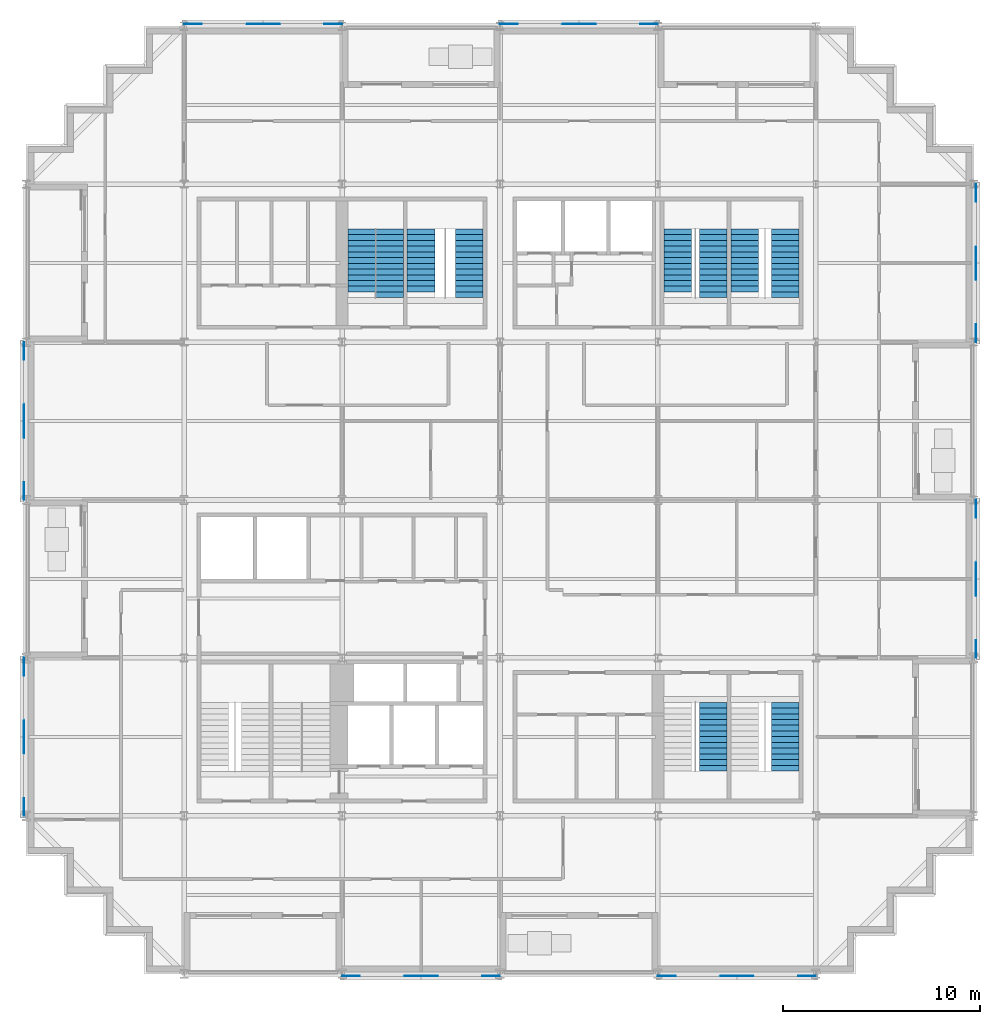
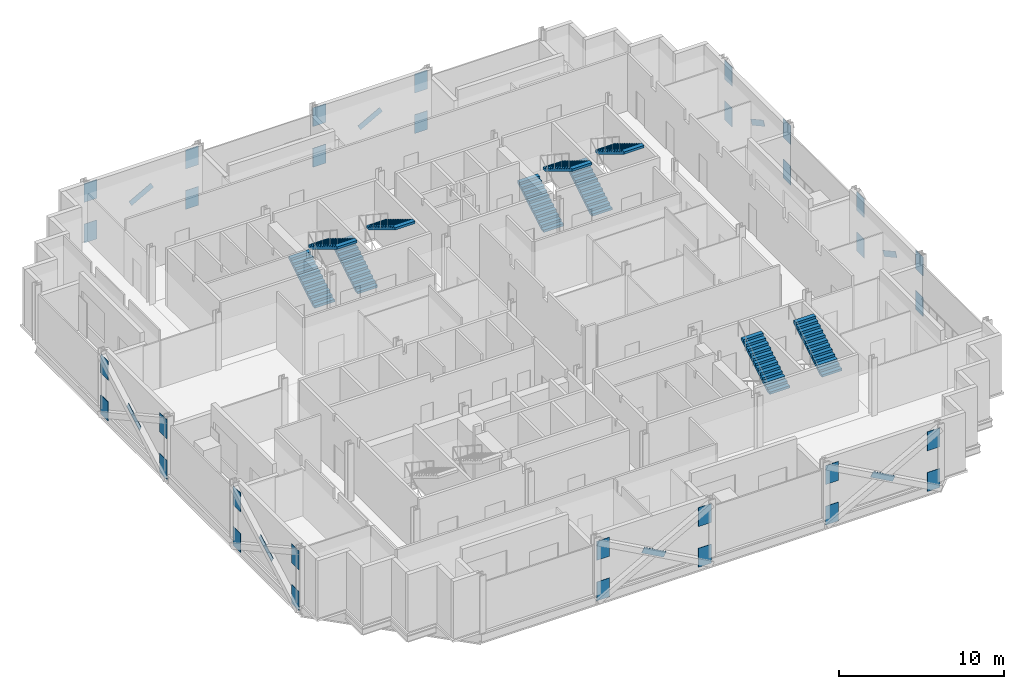
# One storey, part 12 of 15: 40 discrete accessories, 10 stair flights, 6 elements without a shape of their own.
"""IFC4 building model written with IfcOpenShell, lengths in metres."""

from ifc_helpers import new_model, si_unit, direction, frame, origin, origin_2d, place, context, subcontext, project, spatial, polyline, rectangle, outline, extrude, material, material_profile, profile_set, type_object, element, aggregate, save


model = new_model("IFC4")

# Units and contexts
model_context = context("Model", 3, precision=1e-05, world=origin(), true_north=direction((0.0, 1.0)))
body_context = subcontext(model_context, "Body", "Model", "MODEL_VIEW")
ifc_project = project(units=[si_unit("LENGTHUNIT", "METRE"), si_unit("AREAUNIT", "SQUARE_METRE"), si_unit("VOLUMEUNIT", "CUBIC_METRE"), si_unit("PLANEANGLEUNIT", "RADIAN"), si_unit("MASSUNIT", "GRAM", prefix="KILO")], contexts=[model_context])

# Site, building, storey
site_placement = place(None, origin())
site = spatial("IfcSite", under=ifc_project, at=site_placement, CompositionType="ELEMENT")
building_placement = place(site_placement, origin())
building = spatial("IfcBuilding", under=site, at=building_placement, Name="Immortelle Media Tower", CompositionType="ELEMENT")
storey_placement = place(building_placement, frame((0.0, 0.0, 92.0)))
storey = spatial("IfcBuildingStorey", under=building, at=storey_placement, Name="L17", CompositionType="ELEMENT", Elevation=92.0)

# Stair, stair flight
ifc_material_1 = material(Name="Steel ASTM A992 Gr 50", Category="steel")
stair_type = type_object("IfcStairType", Name="Stair with flights", PredefinedType="DOUBLE_RETURN_STAIR", material=ifc_material_1)
stair_1_placement = place(storey_placement, origin())
stair_1 = element("IfcStair", 1, at=stair_1_placement, inside=storey, type_object=stair_type, Name="Exit stair SE1", PredefinedType="DOUBLE_RETURN_STAIR")
stair_flight_type = type_object("IfcStairFlightType", Name="Stair flight 1400", PredefinedType="STRAIGHT", material=ifc_material_1)
stair_flight_1_placement = place(storey_placement, frame((34.800048828125, 10.27001953125, 2.112060546875), z_axis=(0.0, 0.0, 1.0), x_axis=(0.0, 1.0, 0.0)))
stair_flight_1 = element("IfcStairFlight", 2, at=stair_flight_1_placement, type_object=stair_flight_type, Name="ST SE1 flight 2", NumberOfRisers=13, NumberOfTreads=12, PredefinedType="STRAIGHT", RiserHeight=0.176, TreadLength=0.29, context=body_context, shape_type="SweptSolid", body=[
    extrude(outline(polyline([(0.0, 0.0), (0.0, 0.176025390625), (0.2900390625, 0.176025390625), (0.2900390625, 0.35205078125), (0.580078125, 0.35205078125), (0.580078125, 0.528076171875), (0.8701171875, 0.528076171875), (0.8701171875, 0.7041015625), (1.159912109375, 0.7041015625), (1.159912109375, 0.8798828125), (1.449951171875, 0.8798828125), (1.449951171875, 1.055908203125), (1.739990234375, 1.055908203125), (1.739990234375, 1.23193359375), (2.030029296875, 1.23193359375), (2.030029296875, 1.407958984375), (2.320068359375, 1.407958984375), (2.320068359375, 1.583984375), (2.610107421875, 1.583984375), (2.610107421875, 1.760009765625), (2.89990234375, 1.760009765625), (2.89990234375, 1.93603515625), (3.18994140625, 1.93603515625), (3.18994140625, 2.112060546875), (3.47998046875, 2.112060546875), (3.47998046875, 2.2880859375), (3.47998046875, 1.936767578125), (0.288818359375, 0.0), (0.0, 0.0)])), frame((0.0, 0.699951171875, 0.0), z_axis=(0.0, -1.0, 0.0), x_axis=(1.0, 0.0, 0.0)), (0.0, 0.0, 1.0), 1.39990234375),
])
aggregate(stair_1, [stair_flight_1])

stair_2_placement = place(storey_placement, origin())
stair_2 = element("IfcStair", 3, at=stair_2_placement, inside=storey, type_object=stair_type, Name="Exit stair SE2", PredefinedType="DOUBLE_RETURN_STAIR")
stair_flight_2_placement = place(storey_placement, frame((38.449951171875, 10.27001953125, 2.112060546875), z_axis=(0.0, 0.0, 1.0), x_axis=(0.0, 1.0, 0.0)))
stair_flight_2 = element("IfcStairFlight", 4, at=stair_flight_2_placement, type_object=stair_flight_type, Name="ST SE2 flight 2", NumberOfRisers=13, NumberOfTreads=12, PredefinedType="STRAIGHT", RiserHeight=0.176, TreadLength=0.29, context=body_context, shape_type="SweptSolid", body=[
    extrude(outline(polyline([(0.0, 0.0), (0.0, 0.176025390625), (0.2900390625, 0.176025390625), (0.2900390625, 0.35205078125), (0.580078125, 0.35205078125), (0.580078125, 0.528076171875), (0.8701171875, 0.528076171875), (0.8701171875, 0.7041015625), (1.159912109375, 0.7041015625), (1.159912109375, 0.8798828125), (1.449951171875, 0.8798828125), (1.449951171875, 1.055908203125), (1.739990234375, 1.055908203125), (1.739990234375, 1.23193359375), (2.030029296875, 1.23193359375), (2.030029296875, 1.407958984375), (2.320068359375, 1.407958984375), (2.320068359375, 1.583984375), (2.610107421875, 1.583984375), (2.610107421875, 1.760009765625), (2.89990234375, 1.760009765625), (2.89990234375, 1.93603515625), (3.18994140625, 1.93603515625), (3.18994140625, 2.112060546875), (3.47998046875, 2.112060546875), (3.47998046875, 2.2880859375), (3.47998046875, 1.936767578125), (0.288818359375, 0.0), (0.0, 0.0)])), frame((0.0, 0.699951171875, 0.0), z_axis=(0.0, -1.0, 0.0), x_axis=(1.0, 0.0, 0.0)), (0.0, 0.0, 1.0), 1.39990234375),
])
aggregate(stair_2, [stair_flight_2])

# Stair, stair flights
stair_3_placement = place(storey_placement, origin())
stair_3 = element("IfcStair", 5, at=stair_3_placement, inside=storey, type_object=stair_type, Name="Exit stair NW1", PredefinedType="DOUBLE_RETURN_STAIR")
stair_flight_3_placement = place(storey_placement, frame((17.0, 34.5400390625, 0.0), z_axis=(0.0, 0.0, 1.0), x_axis=(0.0, 1.0, 0.0)))
stair_flight_3 = element("IfcStairFlight", 6, at=stair_flight_3_placement, type_object=stair_flight_type, Name="ST NW1 flight 1", NumberOfRisers=12, NumberOfTreads=11, PredefinedType="STRAIGHT", RiserHeight=0.176, TreadLength=0.29, context=body_context, shape_type="SweptSolid", body=[
    extrude(outline(polyline([(0.0, 0.0), (0.0, 0.176025390625), (0.2900390625, 0.176025390625), (0.2900390625, 0.35205078125), (0.580078125, 0.35205078125), (0.580078125, 0.528076171875), (0.8701171875, 0.528076171875), (0.8701171875, 0.7041015625), (1.159912109375, 0.7041015625), (1.159912109375, 0.8798828125), (1.449951171875, 0.8798828125), (1.449951171875, 1.055908203125), (1.739990234375, 1.055908203125), (1.739990234375, 1.23193359375), (2.030029296875, 1.23193359375), (2.030029296875, 1.407958984375), (2.320068359375, 1.407958984375), (2.320068359375, 1.583984375), (2.610107421875, 1.583984375), (2.610107421875, 1.760009765625), (2.89990234375, 1.760009765625), (2.89990234375, 1.93603515625), (3.18994140625, 1.93603515625), (3.18994140625, 2.112060546875), (3.18994140625, 1.7607421875), (0.288818359375, 0.0), (0.0, 0.0)])), frame((0.0, 0.699951171875, 0.0), z_axis=(0.0, -1.0, 0.0), x_axis=(1.0, 0.0, 0.0)), (0.0, 0.0, 1.0), 1.39990234375),
])
stair_flight_4_placement = place(storey_placement, frame((18.39990234375, 37.72998046875, 2.112060546875), z_axis=(0.0, 0.0, 1.0), x_axis=(0.0, -1.0, 0.0)))
stair_flight_4 = element("IfcStairFlight", 7, at=stair_flight_4_placement, type_object=stair_flight_type, Name="ST NW1 flight 2", NumberOfRisers=13, NumberOfTreads=12, PredefinedType="STRAIGHT", RiserHeight=0.176, TreadLength=0.29, context=body_context, shape_type="SweptSolid", body=[
    extrude(outline(polyline([(0.0, 0.0), (0.0, 0.176025390625), (0.2900390625, 0.176025390625), (0.2900390625, 0.35205078125), (0.580078125, 0.35205078125), (0.580078125, 0.528076171875), (0.8701171875, 0.528076171875), (0.8701171875, 0.7041015625), (1.159912109375, 0.7041015625), (1.159912109375, 0.8798828125), (1.449951171875, 0.8798828125), (1.449951171875, 1.055908203125), (1.739990234375, 1.055908203125), (1.739990234375, 1.23193359375), (2.030029296875, 1.23193359375), (2.030029296875, 1.407958984375), (2.320068359375, 1.407958984375), (2.320068359375, 1.583984375), (2.610107421875, 1.583984375), (2.610107421875, 1.760009765625), (2.89990234375, 1.760009765625), (2.89990234375, 1.93603515625), (3.18994140625, 1.93603515625), (3.18994140625, 2.112060546875), (3.47998046875, 2.112060546875), (3.47998046875, 2.2880859375), (3.47998046875, 1.936767578125), (0.288818359375, 0.0), (0.0, 0.0)])), frame((0.0, 0.699951171875, 0.0), z_axis=(0.0, -1.0, 0.0), x_axis=(1.0, 0.0, 0.0)), (0.0, 0.0, 1.0), 1.39990234375),
])
aggregate(stair_3, [stair_flight_3, stair_flight_4])

stair_4_placement = place(storey_placement, origin())
stair_4 = element("IfcStair", 8, at=stair_4_placement, inside=storey, type_object=stair_type, Name="Exit stair NW2", PredefinedType="DOUBLE_RETURN_STAIR")
stair_flight_5_placement = place(storey_placement, frame((20.0, 34.5400390625, 0.0), z_axis=(0.0, 0.0, 1.0), x_axis=(0.0, 1.0, 0.0)))
stair_flight_5 = element("IfcStairFlight", 9, at=stair_flight_5_placement, type_object=stair_flight_type, Name="ST NW2 flight 1", NumberOfRisers=12, NumberOfTreads=11, PredefinedType="STRAIGHT", RiserHeight=0.176, TreadLength=0.29, context=body_context, shape_type="SweptSolid", body=[
    extrude(outline(polyline([(0.0, 0.0), (0.0, 0.176025390625), (0.2900390625, 0.176025390625), (0.2900390625, 0.35205078125), (0.580078125, 0.35205078125), (0.580078125, 0.528076171875), (0.8701171875, 0.528076171875), (0.8701171875, 0.7041015625), (1.159912109375, 0.7041015625), (1.159912109375, 0.8798828125), (1.449951171875, 0.8798828125), (1.449951171875, 1.055908203125), (1.739990234375, 1.055908203125), (1.739990234375, 1.23193359375), (2.030029296875, 1.23193359375), (2.030029296875, 1.407958984375), (2.320068359375, 1.407958984375), (2.320068359375, 1.583984375), (2.610107421875, 1.583984375), (2.610107421875, 1.760009765625), (2.89990234375, 1.760009765625), (2.89990234375, 1.93603515625), (3.18994140625, 1.93603515625), (3.18994140625, 2.112060546875), (3.18994140625, 1.7607421875), (0.288818359375, 0.0), (0.0, 0.0)])), frame((0.0, 0.699951171875, 0.0), z_axis=(0.0, -1.0, 0.0), x_axis=(1.0, 0.0, 0.0)), (0.0, 0.0, 1.0), 1.39990234375),
])
stair_flight_6_placement = place(storey_placement, frame((22.449951171875, 37.72998046875, 2.112060546875), z_axis=(0.0, 0.0, 1.0), x_axis=(0.0, -1.0, 0.0)))
stair_flight_6 = element("IfcStairFlight", 10, at=stair_flight_6_placement, type_object=stair_flight_type, Name="ST NW2 flight 2", NumberOfRisers=13, NumberOfTreads=12, PredefinedType="STRAIGHT", RiserHeight=0.176, TreadLength=0.29, context=body_context, shape_type="SweptSolid", body=[
    extrude(outline(polyline([(0.0, 0.0), (0.0, 0.176025390625), (0.2900390625, 0.176025390625), (0.2900390625, 0.35205078125), (0.580078125, 0.35205078125), (0.580078125, 0.528076171875), (0.8701171875, 0.528076171875), (0.8701171875, 0.7041015625), (1.159912109375, 0.7041015625), (1.159912109375, 0.8798828125), (1.449951171875, 0.8798828125), (1.449951171875, 1.055908203125), (1.739990234375, 1.055908203125), (1.739990234375, 1.23193359375), (2.030029296875, 1.23193359375), (2.030029296875, 1.407958984375), (2.320068359375, 1.407958984375), (2.320068359375, 1.583984375), (2.610107421875, 1.583984375), (2.610107421875, 1.760009765625), (2.89990234375, 1.760009765625), (2.89990234375, 1.93603515625), (3.18994140625, 1.93603515625), (3.18994140625, 2.112060546875), (3.47998046875, 2.112060546875), (3.47998046875, 2.2880859375), (3.47998046875, 1.936767578125), (0.288818359375, 0.0), (0.0, 0.0)])), frame((0.0, 0.699951171875, 0.0), z_axis=(0.0, -1.0, 0.0), x_axis=(1.0, 0.0, 0.0)), (0.0, 0.0, 1.0), 1.39990234375),
])
aggregate(stair_4, [stair_flight_5, stair_flight_6])

stair_5_placement = place(storey_placement, origin())
stair_5 = element("IfcStair", 11, at=stair_5_placement, inside=storey, type_object=stair_type, Name="Exit stair NE1", PredefinedType="DOUBLE_RETURN_STAIR")
stair_flight_7_placement = place(storey_placement, frame((33.0, 34.5400390625, 0.0), z_axis=(0.0, 0.0, 1.0), x_axis=(0.0, 1.0, 0.0)))
stair_flight_7 = element("IfcStairFlight", 12, at=stair_flight_7_placement, type_object=stair_flight_type, Name="ST NE1 flight 1", NumberOfRisers=12, NumberOfTreads=11, PredefinedType="STRAIGHT", RiserHeight=0.176, TreadLength=0.29, context=body_context, shape_type="SweptSolid", body=[
    extrude(outline(polyline([(0.0, 0.0), (0.0, 0.176025390625), (0.2900390625, 0.176025390625), (0.2900390625, 0.35205078125), (0.580078125, 0.35205078125), (0.580078125, 0.528076171875), (0.8701171875, 0.528076171875), (0.8701171875, 0.7041015625), (1.159912109375, 0.7041015625), (1.159912109375, 0.8798828125), (1.449951171875, 0.8798828125), (1.449951171875, 1.055908203125), (1.739990234375, 1.055908203125), (1.739990234375, 1.23193359375), (2.030029296875, 1.23193359375), (2.030029296875, 1.407958984375), (2.320068359375, 1.407958984375), (2.320068359375, 1.583984375), (2.610107421875, 1.583984375), (2.610107421875, 1.760009765625), (2.89990234375, 1.760009765625), (2.89990234375, 1.93603515625), (3.18994140625, 1.93603515625), (3.18994140625, 2.112060546875), (3.18994140625, 1.7607421875), (0.288818359375, 0.0), (0.0, 0.0)])), frame((0.0, 0.699951171875, 0.0), z_axis=(0.0, -1.0, 0.0), x_axis=(1.0, 0.0, 0.0)), (0.0, 0.0, 1.0), 1.39990234375),
])
stair_flight_8_placement = place(storey_placement, frame((34.800048828125, 37.72998046875, 2.112060546875), z_axis=(0.0, 0.0, 1.0), x_axis=(0.0, -1.0, 0.0)))
stair_flight_8 = element("IfcStairFlight", 13, at=stair_flight_8_placement, type_object=stair_flight_type, Name="ST NE1 flight 2", NumberOfRisers=13, NumberOfTreads=12, PredefinedType="STRAIGHT", RiserHeight=0.176, TreadLength=0.29, context=body_context, shape_type="SweptSolid", body=[
    extrude(outline(polyline([(0.0, 0.0), (0.0, 0.176025390625), (0.2900390625, 0.176025390625), (0.2900390625, 0.35205078125), (0.580078125, 0.35205078125), (0.580078125, 0.528076171875), (0.8701171875, 0.528076171875), (0.8701171875, 0.7041015625), (1.159912109375, 0.7041015625), (1.159912109375, 0.8798828125), (1.449951171875, 0.8798828125), (1.449951171875, 1.055908203125), (1.739990234375, 1.055908203125), (1.739990234375, 1.23193359375), (2.030029296875, 1.23193359375), (2.030029296875, 1.407958984375), (2.320068359375, 1.407958984375), (2.320068359375, 1.583984375), (2.610107421875, 1.583984375), (2.610107421875, 1.760009765625), (2.89990234375, 1.760009765625), (2.89990234375, 1.93603515625), (3.18994140625, 1.93603515625), (3.18994140625, 2.112060546875), (3.47998046875, 2.112060546875), (3.47998046875, 2.2880859375), (3.47998046875, 1.936767578125), (0.288818359375, 0.0), (0.0, 0.0)])), frame((0.0, 0.699951171875, 0.0), z_axis=(0.0, -1.0, 0.0), x_axis=(1.0, 0.0, 0.0)), (0.0, 0.0, 1.0), 1.39990234375),
])
aggregate(stair_5, [stair_flight_7, stair_flight_8])

stair_6_placement = place(storey_placement, origin())
stair_6 = element("IfcStair", 14, at=stair_6_placement, inside=storey, type_object=stair_type, Name="Exit stair NE2", PredefinedType="DOUBLE_RETURN_STAIR")
stair_flight_9_placement = place(storey_placement, frame((36.39990234375, 34.5400390625, 0.0), z_axis=(0.0, 0.0, 1.0), x_axis=(0.0, 1.0, 0.0)))
stair_flight_9 = element("IfcStairFlight", 15, at=stair_flight_9_placement, type_object=stair_flight_type, Name="ST NE2 flight 1", NumberOfRisers=12, NumberOfTreads=11, PredefinedType="STRAIGHT", RiserHeight=0.176, TreadLength=0.29, context=body_context, shape_type="SweptSolid", body=[
    extrude(outline(polyline([(0.0, 0.0), (0.0, 0.176025390625), (0.2900390625, 0.176025390625), (0.2900390625, 0.35205078125), (0.580078125, 0.35205078125), (0.580078125, 0.528076171875), (0.8701171875, 0.528076171875), (0.8701171875, 0.7041015625), (1.159912109375, 0.7041015625), (1.159912109375, 0.8798828125), (1.449951171875, 0.8798828125), (1.449951171875, 1.055908203125), (1.739990234375, 1.055908203125), (1.739990234375, 1.23193359375), (2.030029296875, 1.23193359375), (2.030029296875, 1.407958984375), (2.320068359375, 1.407958984375), (2.320068359375, 1.583984375), (2.610107421875, 1.583984375), (2.610107421875, 1.760009765625), (2.89990234375, 1.760009765625), (2.89990234375, 1.93603515625), (3.18994140625, 1.93603515625), (3.18994140625, 2.112060546875), (3.18994140625, 1.7607421875), (0.288818359375, 0.0), (0.0, 0.0)])), frame((0.0, 0.699951171875, 0.0), z_axis=(0.0, -1.0, 0.0), x_axis=(1.0, 0.0, 0.0)), (0.0, 0.0, 1.0), 1.39990234375),
])
stair_flight_10_placement = place(storey_placement, frame((38.449951171875, 37.72998046875, 2.112060546875), z_axis=(0.0, 0.0, 1.0), x_axis=(0.0, -1.0, 0.0)))
stair_flight_10 = element("IfcStairFlight", 16, at=stair_flight_10_placement, type_object=stair_flight_type, Name="ST NE2 flight 2", NumberOfRisers=13, NumberOfTreads=12, PredefinedType="STRAIGHT", RiserHeight=0.176, TreadLength=0.29, context=body_context, shape_type="SweptSolid", body=[
    extrude(outline(polyline([(0.0, 0.0), (0.0, 0.176025390625), (0.2900390625, 0.176025390625), (0.2900390625, 0.35205078125), (0.580078125, 0.35205078125), (0.580078125, 0.528076171875), (0.8701171875, 0.528076171875), (0.8701171875, 0.7041015625), (1.159912109375, 0.7041015625), (1.159912109375, 0.8798828125), (1.449951171875, 0.8798828125), (1.449951171875, 1.055908203125), (1.739990234375, 1.055908203125), (1.739990234375, 1.23193359375), (2.030029296875, 1.23193359375), (2.030029296875, 1.407958984375), (2.320068359375, 1.407958984375), (2.320068359375, 1.583984375), (2.610107421875, 1.583984375), (2.610107421875, 1.760009765625), (2.89990234375, 1.760009765625), (2.89990234375, 1.93603515625), (3.18994140625, 1.93603515625), (3.18994140625, 2.112060546875), (3.47998046875, 2.112060546875), (3.47998046875, 2.2880859375), (3.47998046875, 1.936767578125), (0.288818359375, 0.0), (0.0, 0.0)])), frame((0.0, 0.699951171875, 0.0), z_axis=(0.0, -1.0, 0.0), x_axis=(1.0, 0.0, 0.0)), (0.0, 0.0, 1.0), 1.39990234375),
])
aggregate(stair_6, [stair_flight_9, stair_flight_10])

# Discrete accessories
ifc_material_2 = material(Name="Steel ASTM A572 Gr 50", Category="steel")
ifc_material_profile_1 = material_profile(ifc_material_2, rectangle(XDim=0.031982421875, YDim=0.406005859375, at=origin_2d()), Name="PL 32 x 406")
ifc_profile_set_1 = profile_set([ifc_material_profile_1], Name="Steel ASTM A572 Gr 50")
discrete_accessory_type_1 = type_object("IfcDiscreteAccessoryType", Name="Crossing plate XP-BR3 1750 x 406 x 32", PredefinedType="USERDEFINED", material=ifc_profile_set_1)
for number, where, z_axis, x_axis, name in (
    (17, (-0.113037109375, 28.7666015625, 2.125244140625), (0.0, -0.876156989658, -0.482025859756), (1.0, 0.0, 0.0), "Crossing plate XP-BR3 of Brace 1/D-E A and Brace 1/D-E B"),
    (18, (-0.113037109375, 12.7666015625, 2.125244140625), (0.0, -0.876156989658, -0.482025859756), (1.0, 0.0, 0.0), "Crossing plate XP-BR3 of Brace 1/B-C A and Brace 1/B-C B"),
    (19, (48.113037109375, 19.2333984375, 2.125244140625), (0.0, 0.876156989658, -0.482025859756), (-1.0, 0.0, 0.0), "Crossing plate XP-BR3 of Brace 7/C-D A and Brace 7/C-D B"),
    (20, (48.113037109375, 35.2333984375, 2.125244140625), (0.0, 0.876156989658, -0.482025859756), (-1.0, 0.0, 0.0), "Crossing plate XP-BR3 of Brace 7/E-F A and Brace 7/E-F B"),
    (21, (28.7666015625, 48.113037109375, 2.125244140625), (-0.876156989658, 0.0, -0.482025859756), (0.0, -1.0, 0.0), "Crossing plate XP-BR3 of Brace G/4-5 A and Brace G/4-5 B"),
    (22, (12.7666015625, 48.113037109375, 2.125244140625), (-0.876156989658, 0.0, -0.482025859756), (0.0, -1.0, 0.0), "Crossing plate XP-BR3 of Brace G/2-3 A and Brace G/2-3 B"),
    (23, (19.2333984375, -0.113037109375, 2.125244140625), (0.876156989658, 0.0, -0.482025859756), (0.0, 1.0, 0.0), "Crossing plate XP-BR3 of Brace A/3-4 A and Brace A/3-4 B"),
    (24, (35.2333984375, -0.113037109375, 2.125244140625), (0.876156989658, 0.0, -0.482025859756), (0.0, 1.0, 0.0), "Crossing plate XP-BR3 of Brace A/5-6 A and Brace A/5-6 B"),
):
    element("IfcDiscreteAccessory", number, at=place(storey_placement, frame(where, z_axis=z_axis, x_axis=x_axis)), inside=storey, type_object=discrete_accessory_type_1, Name=name, ObjectType="CROSSING PLATE", PredefinedType="USERDEFINED", context=body_context, shape_type="SweptSolid", body=[
        extrude(rectangle(XDim=0.031982421875, YDim=0.406005859375, at=origin_2d()), origin(), (0.0, 0.0, 1.0), 1.75),
    ])
ifc_material_profile_2 = material_profile(ifc_material_2, rectangle(XDim=0.031982421875, YDim=1.39990234375, at=origin_2d()), Name="PL 32 x 1400")
ifc_profile_set_2 = profile_set([ifc_material_profile_2], Name="Steel ASTM A572 Gr 50")
discrete_accessory_type_2 = type_object("IfcDiscreteAccessoryType", Name="Gusset plate GP1 900 x 1400 x 32", PredefinedType="USERDEFINED", material=ifc_profile_set_2)
for number, where, z_axis, x_axis, name in (
    (25, (-0.113037109375, 32.0, 0.20361328125), (0.0, -1.0, 0.0), (1.0, 0.0, 0.0), "Gusset plate GP1, lower end of Brace 1/D-E A"),
    (26, (-0.113037109375, 24.0, 3.20361328125), (0.0, 1.0, 0.0), (-1.0, 0.0, 0.0), "Gusset plate GP1, upper end of Brace 1/D-E A"),
    (27, (-0.113037109375, 24.0, 0.20361328125), (0.0, 1.0, 0.0), (-1.0, 0.0, 0.0), "Gusset plate GP1, lower end of Brace 1/D-E B"),
    (28, (-0.113037109375, 32.0, 3.20361328125), (0.0, -1.0, 0.0), (1.0, 0.0, 0.0), "Gusset plate GP1, upper end of Brace 1/D-E B"),
    (29, (-0.113037109375, 16.0, 0.20361328125), (0.0, -1.0, 0.0), (1.0, 0.0, 0.0), "Gusset plate GP1, lower end of Brace 1/B-C A"),
    (30, (-0.113037109375, 8.0, 3.20361328125), (0.0, 1.0, 0.0), (-1.0, 0.0, 0.0), "Gusset plate GP1, upper end of Brace 1/B-C A"),
    (31, (-0.113037109375, 8.0, 0.20361328125), (0.0, 1.0, 0.0), (-1.0, 0.0, 0.0), "Gusset plate GP1, lower end of Brace 1/B-C B"),
    (32, (-0.113037109375, 16.0, 3.20361328125), (0.0, -1.0, 0.0), (1.0, 0.0, 0.0), "Gusset plate GP1, upper end of Brace 1/B-C B"),
    (33, (16.0, -0.113037109375, 0.20361328125), (1.0, 0.0, 0.0), (0.0, 1.0, 0.0), "Gusset plate GP1, lower end of Brace A/3-4 A"),
    (34, (24.0, -0.113037109375, 3.20361328125), (-1.0, 0.0, 0.0), (0.0, -1.0, 0.0), "Gusset plate GP1, upper end of Brace A/3-4 A"),
    (35, (24.0, -0.113037109375, 0.20361328125), (-1.0, 0.0, 0.0), (0.0, -1.0, 0.0), "Gusset plate GP1, lower end of Brace A/3-4 B"),
    (36, (16.0, -0.113037109375, 3.20361328125), (1.0, 0.0, 0.0), (0.0, 1.0, 0.0), "Gusset plate GP1, upper end of Brace A/3-4 B"),
    (37, (32.0, -0.113037109375, 0.20361328125), (1.0, 0.0, 0.0), (0.0, 1.0, 0.0), "Gusset plate GP1, lower end of Brace A/5-6 A"),
    (38, (40.0, -0.113037109375, 3.20361328125), (-1.0, 0.0, 0.0), (0.0, -1.0, 0.0), "Gusset plate GP1, upper end of Brace A/5-6 A"),
    (39, (40.0, -0.113037109375, 0.20361328125), (-1.0, 0.0, 0.0), (0.0, -1.0, 0.0), "Gusset plate GP1, lower end of Brace A/5-6 B"),
    (40, (32.0, -0.113037109375, 3.20361328125), (1.0, 0.0, 0.0), (0.0, 1.0, 0.0), "Gusset plate GP1, upper end of Brace A/5-6 B"),
    (41, (48.113037109375, 16.0, 0.20361328125), (0.0, 1.0, 0.0), (-1.0, 0.0, 0.0), "Gusset plate GP1, lower end of Brace 7/C-D A"),
    (42, (48.113037109375, 24.0, 3.20361328125), (0.0, -1.0, 0.0), (1.0, 0.0, 0.0), "Gusset plate GP1, upper end of Brace 7/C-D A"),
    (43, (48.113037109375, 24.0, 0.20361328125), (0.0, -1.0, 0.0), (1.0, 0.0, 0.0), "Gusset plate GP1, lower end of Brace 7/C-D B"),
    (44, (48.113037109375, 16.0, 3.20361328125), (0.0, 1.0, 0.0), (-1.0, 0.0, 0.0), "Gusset plate GP1, upper end of Brace 7/C-D B"),
    (45, (48.113037109375, 32.0, 0.20361328125), (0.0, 1.0, 0.0), (-1.0, 0.0, 0.0), "Gusset plate GP1, lower end of Brace 7/E-F A"),
    (46, (48.113037109375, 40.0, 3.20361328125), (0.0, -1.0, 0.0), (1.0, 0.0, 0.0), "Gusset plate GP1, upper end of Brace 7/E-F A"),
    (47, (48.113037109375, 40.0, 0.20361328125), (0.0, -1.0, 0.0), (1.0, 0.0, 0.0), "Gusset plate GP1, lower end of Brace 7/E-F B"),
    (48, (48.113037109375, 32.0, 3.20361328125), (0.0, 1.0, 0.0), (-1.0, 0.0, 0.0), "Gusset plate GP1, upper end of Brace 7/E-F B"),
    (49, (32.0, 48.113037109375, 0.20361328125), (-1.0, 0.0, 0.0), (0.0, -1.0, 0.0), "Gusset plate GP1, lower end of Brace G/4-5 A"),
    (50, (24.0, 48.113037109375, 3.20361328125), (1.0, 0.0, 0.0), (0.0, 1.0, 0.0), "Gusset plate GP1, upper end of Brace G/4-5 A"),
    (51, (24.0, 48.113037109375, 0.20361328125), (1.0, 0.0, 0.0), (0.0, 1.0, 0.0), "Gusset plate GP1, lower end of Brace G/4-5 B"),
    (52, (32.0, 48.113037109375, 3.20361328125), (-1.0, 0.0, 0.0), (0.0, -1.0, 0.0), "Gusset plate GP1, upper end of Brace G/4-5 B"),
    (53, (16.0, 48.113037109375, 0.20361328125), (-1.0, 0.0, 0.0), (0.0, -1.0, 0.0), "Gusset plate GP1, lower end of Brace G/2-3 A"),
    (54, (8.0, 48.113037109375, 3.20361328125), (1.0, 0.0, 0.0), (0.0, 1.0, 0.0), "Gusset plate GP1, upper end of Brace G/2-3 A"),
    (55, (8.0, 48.113037109375, 0.20361328125), (1.0, 0.0, 0.0), (0.0, 1.0, 0.0), "Gusset plate GP1, lower end of Brace G/2-3 B"),
    (56, (16.0, 48.113037109375, 3.20361328125), (-1.0, 0.0, 0.0), (0.0, -1.0, 0.0), "Gusset plate GP1, upper end of Brace G/2-3 B"),
):
    element("IfcDiscreteAccessory", number, at=place(storey_placement, frame(where, z_axis=z_axis, x_axis=x_axis)), inside=storey, type_object=discrete_accessory_type_2, Name=name, ObjectType="GUSSET PLATE", PredefinedType="USERDEFINED", context=body_context, shape_type="SweptSolid", body=[
        extrude(rectangle(XDim=0.031982421875, YDim=1.39990234375, at=origin_2d()), origin(), (0.0, 0.0, 1.0), 0.89990234375),
    ])

save(model, "model.ifc")
